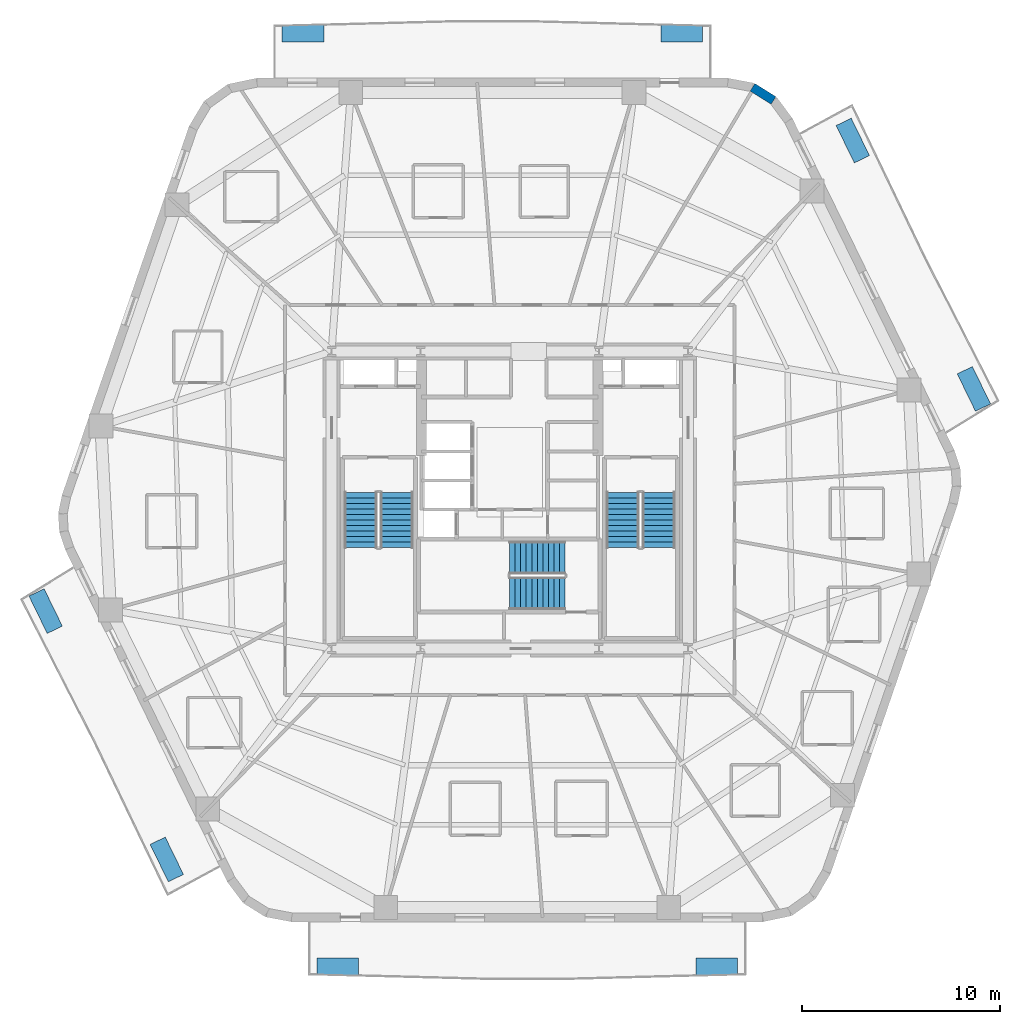
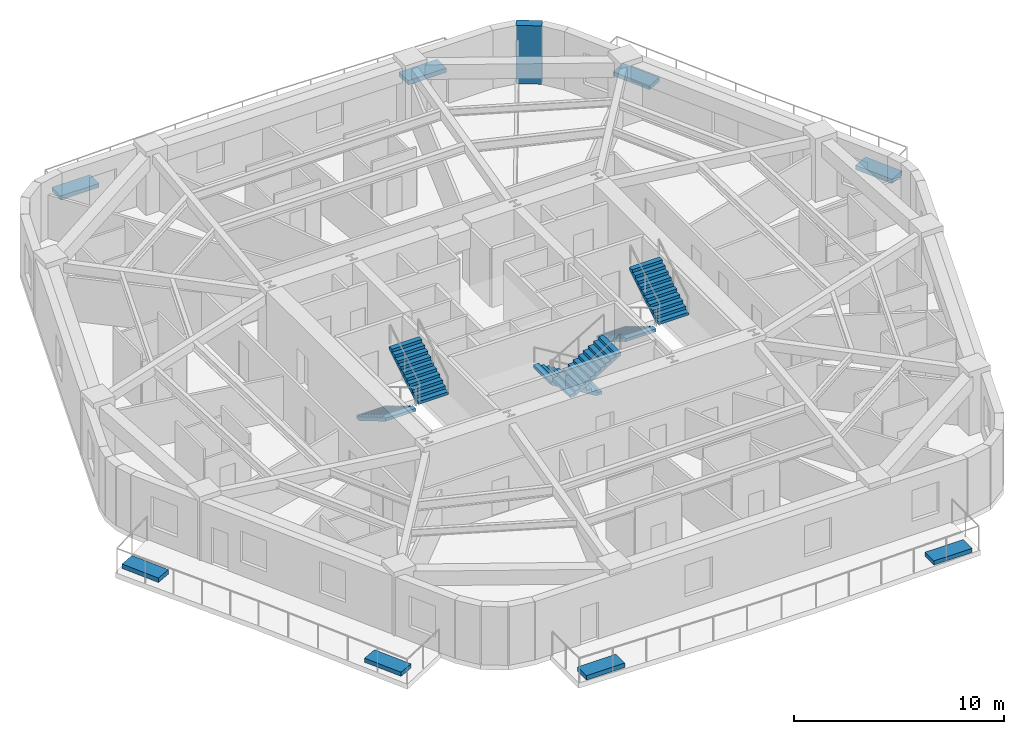
# One storey, part 7 of 10: 8 discrete accessories, 6 stair flights, 1 wall, 3 elements without a shape of their own.
"""IFC4 building model written with IfcOpenShell, lengths in metres."""

from ifc_helpers import new_model, si_unit, direction, frame, frame_2d, origin, origin_2d, place, context, subcontext, project, spatial, polyline, rectangle, outline, extrude, material, layer, layer_set, type_object, element, aggregate, save


model = new_model("IFC4")

# Units and contexts
model_context = context("Model", 3, precision=1e-05, world=origin(), true_north=direction((0.0, 1.0)))
body_context = subcontext(model_context, "Body", "Model", "MODEL_VIEW")
ifc_project = project(units=[si_unit("LENGTHUNIT", "METRE"), si_unit("AREAUNIT", "SQUARE_METRE"), si_unit("VOLUMEUNIT", "CUBIC_METRE"), si_unit("PLANEANGLEUNIT", "RADIAN"), si_unit("MASSUNIT", "GRAM", prefix="KILO")], contexts=[model_context])

# Site, building, storey
site_placement = place(None, origin())
site = spatial("IfcSite", under=ifc_project, at=site_placement, CompositionType="ELEMENT")
building_placement = place(site_placement, origin())
building = spatial("IfcBuilding", under=site, at=building_placement, Name="Kilnhurst Terrace Hotel", CompositionType="ELEMENT")
storey_placement = place(building_placement, frame((0.0, 0.0, 98.800048828125)))
storey = spatial("IfcBuildingStorey", under=building, at=storey_placement, Name="L23", CompositionType="ELEMENT", Elevation=98.800048828125)

# Wall
ifc_material_1 = material(Name="Precast concrete C40/50", Category="concrete")
ifc_layer = layer(ifc_material_1, 0.449951171875, Name="Precast concrete C40/50")
ifc_layer_set = layer_set([ifc_layer], Name="Precast concrete C40/50")
wall_type = type_object("IfcWallType", Name="WL-BRK-450", PredefinedType="SOLIDWALL", material=ifc_layer_set)
wall_placement = place(storey_placement, frame((13.317626953125, 20.1787109375, 0.0), z_axis=(0.0, 0.0, 1.0), x_axis=(-0.848031272749, 0.529946186362, 0.0)))
element("IfcWall", 1, at=wall_placement, inside=storey, type_object=wall_type, Name="L23 Rounded Corner Brick Wall C4.2", PredefinedType="SOLIDWALL", context=body_context, shape_type="SweptSolid", body=[
    extrude(rectangle(XDim=1.248046875, YDim=0.449951171875, at=frame_2d((0.6240234375, 0.0))), origin(), (0.0, 0.0, 1.0), 3.39990234375),
])

# Stair, stair flights
ifc_material_2 = material(Name="Concrete C50/60", Category="concrete")
stair_type = type_object("IfcStairType", Name="STR-CORE-1660", PredefinedType="HALF_TURN_STAIR", material=ifc_material_2)
stair_1_placement = place(storey_placement, origin())
stair_1 = element("IfcStair", 2, at=stair_1_placement, inside=storey, type_object=stair_type, Name="L23 ST-1", PredefinedType="HALF_TURN_STAIR")
stair_flight_type = type_object("IfcStairFlightType", Name="FLT-RC-1660", PredefinedType="STRAIGHT", material=ifc_material_2)
stair_flight_1_placement = place(storey_placement, frame((-7.52001953125, 0.389892578125, 0.0), z_axis=(0.0, 0.0, 1.0), x_axis=(0.0, -1.0, 0.0)))
stair_flight_1 = element("IfcStairFlight", 3, at=stair_flight_1_placement, type_object=stair_flight_type, Name="ST-1 flight 1", NumberOfRisers=11, NumberOfTreads=10, PredefinedType="STRAIGHT", RiserHeight=0.168181818, TreadLength=0.28, context=body_context, shape_type="SweptSolid", body=[
    extrude(outline(polyline([(0.0, 0.0), (0.0, 0.168212890625), (0.280029296875, 0.168212890625), (0.280029296875, 0.33642578125), (0.56005859375, 0.33642578125), (0.56005859375, 0.504638671875), (0.840087890625, 0.504638671875), (0.840087890625, 0.672607421875), (1.1201171875, 0.672607421875), (1.1201171875, 0.8408203125), (1.39990234375, 0.8408203125), (1.39990234375, 1.009033203125), (1.679931640625, 1.009033203125), (1.679931640625, 1.17724609375), (1.9599609375, 1.17724609375), (1.9599609375, 1.345458984375), (2.239990234375, 1.345458984375), (2.239990234375, 1.513671875), (2.52001953125, 1.513671875), (2.52001953125, 1.681884765625), (2.800048828125, 1.681884765625), (2.800048828125, 1.85009765625), (2.800048828125, 1.5068359375), (0.291015625, 0.0), (0.0, 0.0)])), frame((0.0, 0.830078125, 0.0), z_axis=(0.0, -1.0, 0.0), x_axis=(1.0, 0.0, 0.0)), (0.0, 0.0, 1.0), 1.659912109375),
])
stair_flight_2_placement = place(storey_placement, frame((-5.7099609375, -2.409912109375, 1.849853515625), z_axis=(0.0, 0.0, 1.0), x_axis=(0.0, 1.0, 0.0)))
stair_flight_2 = element("IfcStairFlight", 4, at=stair_flight_2_placement, type_object=stair_flight_type, Name="ST-1 flight 2", NumberOfRisers=11, NumberOfTreads=10, PredefinedType="STRAIGHT", RiserHeight=0.168181818, TreadLength=0.28, context=body_context, shape_type="SweptSolid", body=[
    extrude(outline(polyline([(0.0, 0.0), (0.0, 0.168212890625), (0.280029296875, 0.168212890625), (0.280029296875, 0.33642578125), (0.56005859375, 0.33642578125), (0.56005859375, 0.504638671875), (0.840087890625, 0.504638671875), (0.840087890625, 0.672607421875), (1.1201171875, 0.672607421875), (1.1201171875, 0.8408203125), (1.39990234375, 0.8408203125), (1.39990234375, 1.009033203125), (1.679931640625, 1.009033203125), (1.679931640625, 1.17724609375), (1.9599609375, 1.17724609375), (1.9599609375, 1.345458984375), (2.239990234375, 1.345458984375), (2.239990234375, 1.513671875), (2.52001953125, 1.513671875), (2.52001953125, 1.681884765625), (2.800048828125, 1.681884765625), (2.800048828125, 1.85009765625), (2.800048828125, 1.5068359375), (0.291015625, 0.0), (0.0, 0.0)])), frame((0.0, 0.830078125, 0.0), z_axis=(0.0, -1.0, 0.0), x_axis=(1.0, 0.0, 0.0)), (0.0, 0.0, 1.0), 1.659912109375),
])
aggregate(stair_1, [stair_flight_1, stair_flight_2])

stair_2_placement = place(storey_placement, origin())
stair_2 = element("IfcStair", 5, at=stair_2_placement, inside=storey, type_object=stair_type, Name="L23 ST-2", PredefinedType="HALF_TURN_STAIR")
stair_flight_3_placement = place(storey_placement, frame((5.7099609375, 0.389892578125, 0.0), z_axis=(0.0, 0.0, 1.0), x_axis=(0.0, -1.0, 0.0)))
stair_flight_3 = element("IfcStairFlight", 6, at=stair_flight_3_placement, type_object=stair_flight_type, Name="ST-2 flight 1", NumberOfRisers=11, NumberOfTreads=10, PredefinedType="STRAIGHT", RiserHeight=0.168181818, TreadLength=0.28, context=body_context, shape_type="SweptSolid", body=[
    extrude(outline(polyline([(0.0, 0.0), (0.0, 0.168212890625), (0.280029296875, 0.168212890625), (0.280029296875, 0.33642578125), (0.56005859375, 0.33642578125), (0.56005859375, 0.504638671875), (0.840087890625, 0.504638671875), (0.840087890625, 0.672607421875), (1.1201171875, 0.672607421875), (1.1201171875, 0.8408203125), (1.39990234375, 0.8408203125), (1.39990234375, 1.009033203125), (1.679931640625, 1.009033203125), (1.679931640625, 1.17724609375), (1.9599609375, 1.17724609375), (1.9599609375, 1.345458984375), (2.239990234375, 1.345458984375), (2.239990234375, 1.513671875), (2.52001953125, 1.513671875), (2.52001953125, 1.681884765625), (2.800048828125, 1.681884765625), (2.800048828125, 1.85009765625), (2.800048828125, 1.5068359375), (0.291015625, 0.0), (0.0, 0.0)])), frame((0.0, 0.830078125, 0.0), z_axis=(0.0, -1.0, 0.0), x_axis=(1.0, 0.0, 0.0)), (0.0, 0.0, 1.0), 1.659912109375),
])
stair_flight_4_placement = place(storey_placement, frame((7.52001953125, -2.409912109375, 1.849853515625), z_axis=(0.0, 0.0, 1.0), x_axis=(0.0, 1.0, 0.0)))
stair_flight_4 = element("IfcStairFlight", 7, at=stair_flight_4_placement, type_object=stair_flight_type, Name="ST-2 flight 2", NumberOfRisers=11, NumberOfTreads=10, PredefinedType="STRAIGHT", RiserHeight=0.168181818, TreadLength=0.28, context=body_context, shape_type="SweptSolid", body=[
    extrude(outline(polyline([(0.0, 0.0), (0.0, 0.168212890625), (0.280029296875, 0.168212890625), (0.280029296875, 0.33642578125), (0.56005859375, 0.33642578125), (0.56005859375, 0.504638671875), (0.840087890625, 0.504638671875), (0.840087890625, 0.672607421875), (1.1201171875, 0.672607421875), (1.1201171875, 0.8408203125), (1.39990234375, 0.8408203125), (1.39990234375, 1.009033203125), (1.679931640625, 1.009033203125), (1.679931640625, 1.17724609375), (1.9599609375, 1.17724609375), (1.9599609375, 1.345458984375), (2.239990234375, 1.345458984375), (2.239990234375, 1.513671875), (2.52001953125, 1.513671875), (2.52001953125, 1.681884765625), (2.800048828125, 1.681884765625), (2.800048828125, 1.85009765625), (2.800048828125, 1.5068359375), (0.291015625, 0.0), (0.0, 0.0)])), frame((0.0, 0.830078125, 0.0), z_axis=(0.0, -1.0, 0.0), x_axis=(1.0, 0.0, 0.0)), (0.0, 0.0, 1.0), 1.659912109375),
])
aggregate(stair_2, [stair_flight_3, stair_flight_4])

stair_3_placement = place(storey_placement, origin())
stair_3 = element("IfcStair", 8, at=stair_3_placement, inside=storey, type_object=stair_type, Name="L23 ST-3", PredefinedType="HALF_TURN_STAIR")
stair_flight_5_placement = place(storey_placement, frame((2.7900390625, -2.909912109375, 0.0), z_axis=(0.0, 0.0, 1.0), x_axis=(-1.0, 0.0, 0.0)))
stair_flight_5 = element("IfcStairFlight", 9, at=stair_flight_5_placement, type_object=stair_flight_type, Name="ST-3 flight 1", NumberOfRisers=11, NumberOfTreads=10, PredefinedType="STRAIGHT", RiserHeight=0.168181818, TreadLength=0.28, context=body_context, shape_type="SweptSolid", body=[
    extrude(outline(polyline([(0.0, 0.0), (0.0, 0.168212890625), (0.280029296875, 0.168212890625), (0.280029296875, 0.33642578125), (0.56005859375, 0.33642578125), (0.56005859375, 0.504638671875), (0.840087890625, 0.504638671875), (0.840087890625, 0.672607421875), (1.1201171875, 0.672607421875), (1.1201171875, 0.8408203125), (1.39990234375, 0.8408203125), (1.39990234375, 1.009033203125), (1.679931640625, 1.009033203125), (1.679931640625, 1.17724609375), (1.9599609375, 1.17724609375), (1.9599609375, 1.345458984375), (2.239990234375, 1.345458984375), (2.239990234375, 1.513671875), (2.52001953125, 1.513671875), (2.52001953125, 1.681884765625), (2.800048828125, 1.681884765625), (2.800048828125, 1.85009765625), (2.800048828125, 1.5068359375), (0.291015625, 0.0), (0.0, 0.0)])), frame((0.0, 0.830078125, 0.0), z_axis=(0.0, -1.0, 0.0), x_axis=(1.0, 0.0, 0.0)), (0.0, 0.0, 1.0), 1.659912109375),
])
stair_flight_6_placement = place(storey_placement, frame((-0.010009765625, -4.719970703125, 1.849853515625), z_axis=(0.0, 0.0, 1.0), x_axis=(1.0, 0.0, 0.0)))
stair_flight_6 = element("IfcStairFlight", 10, at=stair_flight_6_placement, type_object=stair_flight_type, Name="ST-3 flight 2", NumberOfRisers=11, NumberOfTreads=10, PredefinedType="STRAIGHT", RiserHeight=0.168181818, TreadLength=0.28, context=body_context, shape_type="SweptSolid", body=[
    extrude(outline(polyline([(0.0, 0.0), (0.0, 0.168212890625), (0.280029296875, 0.168212890625), (0.280029296875, 0.33642578125), (0.56005859375, 0.33642578125), (0.56005859375, 0.504638671875), (0.840087890625, 0.504638671875), (0.840087890625, 0.672607421875), (1.1201171875, 0.672607421875), (1.1201171875, 0.8408203125), (1.39990234375, 0.8408203125), (1.39990234375, 1.009033203125), (1.679931640625, 1.009033203125), (1.679931640625, 1.17724609375), (1.9599609375, 1.17724609375), (1.9599609375, 1.345458984375), (2.239990234375, 1.345458984375), (2.239990234375, 1.513671875), (2.52001953125, 1.513671875), (2.52001953125, 1.681884765625), (2.800048828125, 1.681884765625), (2.800048828125, 1.85009765625), (2.800048828125, 1.5068359375), (0.291015625, 0.0), (0.0, 0.0)])), frame((0.0, 0.830078125, 0.0), z_axis=(0.0, -1.0, 0.0), x_axis=(1.0, 0.0, 0.0)), (0.0, 0.0, 1.0), 1.659912109375),
])
aggregate(stair_3, [stair_flight_5, stair_flight_6])

# Discrete accessories
ifc_material_3 = material(Name="Precast Concrete C40/50 Shrub Planter", Category="concrete")
discrete_accessory_type_1 = type_object("IfcDiscreteAccessoryType", Name="PLN-SHRUB-240", PredefinedType="USERDEFINED", material=ifc_material_3)
for number, where, z_axis, x_axis, name in (
    (11, (17.321044921875, 18.15234375, 0.0), (0.0, 0.0, 1.0), (-0.438386833638, 0.898786395142, 0.0), "L23 Structural Tree Planter Box PLANTER BAL-L1A.2"),
    (12, (-10.443603515625, 23.550048828125, 0.0), (0.0, 0.0, 1.0), (-1.0, 0.0, 0.0), "L23 Structural Tree Planter Box PLANTER BAL-L1B.2"),
    (13, (-17.321044921875, -18.15234375, 0.0), (0.0, 0.0, 1.0), (0.438386833638, -0.898786395142, 0.0), "L23 Structural Tree Planter Box PLANTER BAL-L2A.2"),
    (14, (10.443603515625, -23.550048828125, 0.0), (0.0, 0.0, 1.0), (1.0, 0.0, 0.0), "L23 Structural Tree Planter Box PLANTER BAL-L2B.2"),
):
    element("IfcDiscreteAccessory", number, at=place(storey_placement, frame(where, z_axis=z_axis, x_axis=x_axis)), inside=storey, type_object=discrete_accessory_type_1, Name=name, ObjectType="PLANTER", PredefinedType="USERDEFINED", context=body_context, shape_type="SweptSolid", body=[
        extrude(rectangle(XDim=2.10009765625, YDim=0.85009765625, at=origin_2d()), origin(), (0.0, 0.0, 1.0), 0.239990234375),
    ])
ifc_material_4 = material(Name="Precast Concrete C40/50 Tree Planter", Category="concrete")
discrete_accessory_type_2 = type_object("IfcDiscreteAccessoryType", Name="PLN-TREE-260", PredefinedType="USERDEFINED", material=ifc_material_4)
for number, where, z_axis, x_axis, name in (
    (15, (23.4384765625, 5.6103515625, 0.0), (0.0, 0.0, 1.0), (-0.438386833638, 0.898786395142, 0.0), "L23 Structural Tree Planter Box PLANTER BAL-L1A.1"),
    (16, (8.68310546875, 23.550048828125, 0.0), (0.0, 0.0, 1.0), (-1.0, 0.0, 0.0), "L23 Structural Tree Planter Box PLANTER BAL-L1B.1"),
    (17, (-23.4384765625, -5.6103515625, 0.0), (0.0, 0.0, 1.0), (0.438386833638, -0.898786395142, 0.0), "L23 Structural Tree Planter Box PLANTER BAL-L2A.1"),
    (18, (-8.68310546875, -23.550048828125, 0.0), (0.0, 0.0, 1.0), (1.0, 0.0, 0.0), "L23 Structural Tree Planter Box PLANTER BAL-L2B.1"),
):
    element("IfcDiscreteAccessory", number, at=place(storey_placement, frame(where, z_axis=z_axis, x_axis=x_axis)), inside=storey, type_object=discrete_accessory_type_2, Name=name, ObjectType="PLANTER", PredefinedType="USERDEFINED", context=body_context, shape_type="SweptSolid", body=[
        extrude(rectangle(XDim=2.10009765625, YDim=0.85009765625, at=origin_2d()), origin(), (0.0, 0.0, 1.0), 0.260009765625),
    ])

save(model, "model.ifc")
